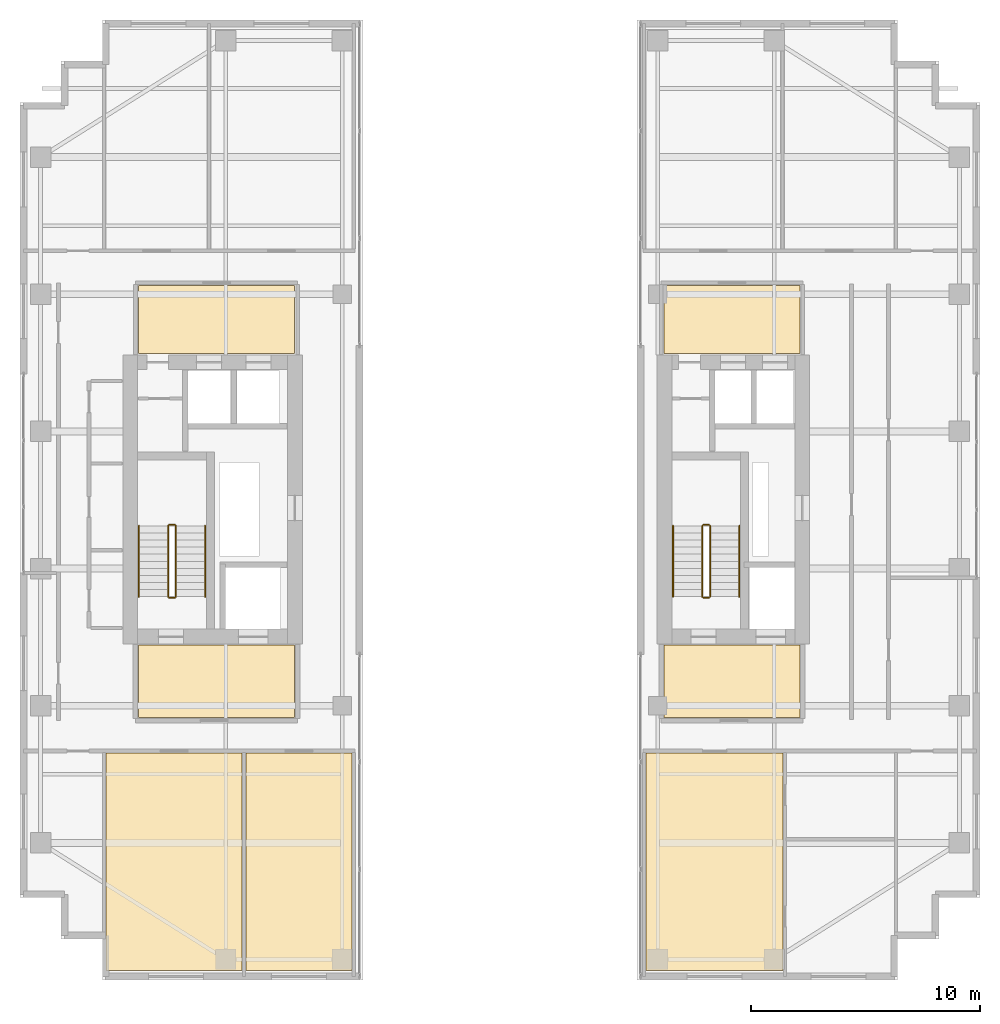
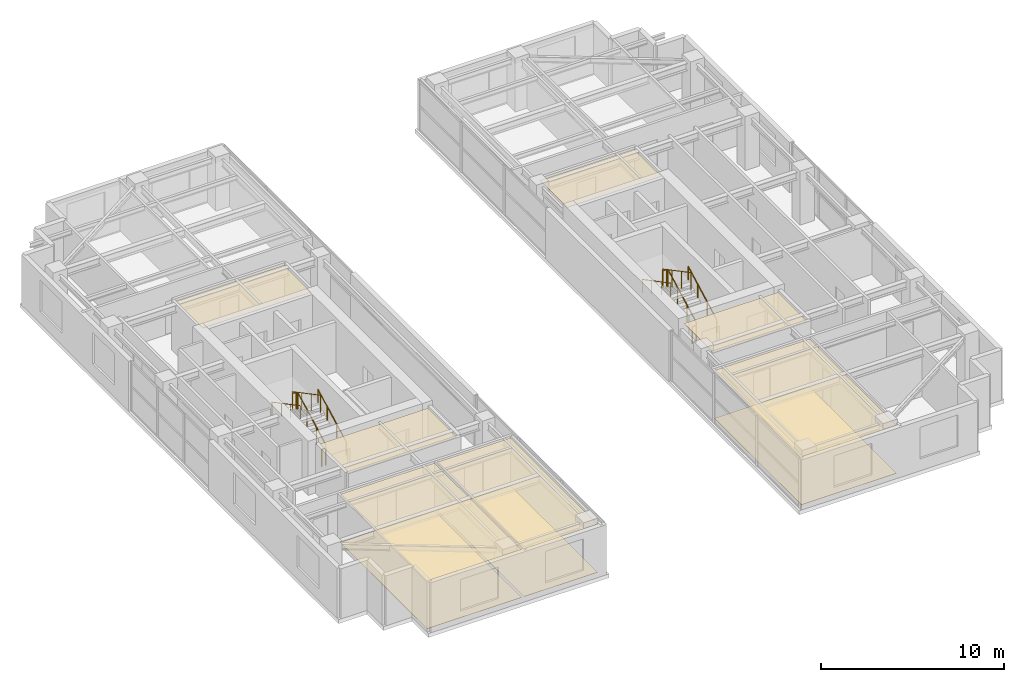
# One storey, part 20 of 21: 12 railings, 10 coverings.
"""IFC4 building model written with IfcOpenShell, lengths in metres."""

from ifc_helpers import new_model, si_unit, direction, frame, origin, origin_2d, place, context, subcontext, project, spatial, polyline, circle, outline, extrude, material, layer, layer_set, type_object, element, save


model = new_model("IFC4")

# Units and contexts
model_context = context("Model", 3, precision=1e-05, world=origin(), true_north=direction((0.0, 1.0)))
body_context = subcontext(model_context, "Body", "Model", "MODEL_VIEW")
ifc_project = project(units=[si_unit("LENGTHUNIT", "METRE"), si_unit("AREAUNIT", "SQUARE_METRE"), si_unit("VOLUMEUNIT", "CUBIC_METRE"), si_unit("PLANEANGLEUNIT", "RADIAN"), si_unit("MASSUNIT", "GRAM", prefix="KILO")], contexts=[model_context])

# Site, building, storey
site_placement = place(None, origin())
site = spatial("IfcSite", under=ifc_project, at=site_placement, CompositionType="ELEMENT")
building_placement = place(site_placement, origin())
building = spatial("IfcBuilding", under=site, at=building_placement, Name="Khoralis Quay Care Tower", CompositionType="ELEMENT")
storey_placement = place(building_placement, frame((0.0, 0.0, 206.10009765625)))
storey = spatial("IfcBuildingStorey", under=building, at=storey_placement, Name="L54", CompositionType="ELEMENT", Elevation=206.10009765625)

# Coverings
ifc_material_1 = material(Name="Mineral-fibre acoustic ceiling tile")
ifc_layer_1 = layer(ifc_material_1, 0.01806640625)
ifc_layer_set_1 = layer_set([ifc_layer_1], Name="Mineral-fibre acoustic ceiling tile")
covering_type_1 = type_object("IfcCoveringType", Name="COV-CEIL-AC18", PredefinedType="CEILING", material=ifc_layer_set_1)
covering_1_placement = place(storey_placement, frame((0.0, 0.0, 3.19189453125)))
element("IfcCovering", 1, at=covering_1_placement, inside=storey, type_object=covering_type_1, Name="Suspended Acoustic Ceiling SP-L54-FFLOB-W", PredefinedType="CEILING", context=body_context, shape_type="SweptSolid", body=[
    extrude(outline(polyline([(8.179931640625, 11.47998046875), (15.02001953125, 11.47998046875), (15.02001953125, 14.64990234375), (8.179931640625, 14.64990234375), (8.179931640625, 11.47998046875)])), origin(), (0.0, 0.0, 1.0), 0.01806640625),
])
covering_2_placement = place(storey_placement, frame((0.0, 0.0, 3.19189453125)))
element("IfcCovering", 2, at=covering_2_placement, inside=storey, type_object=covering_type_1, Name="Suspended Acoustic Ceiling SP-L54-FFLOB-E", PredefinedType="CEILING", context=body_context, shape_type="SweptSolid", body=[
    extrude(outline(polyline([(31.179931640625, 11.47998046875), (37.1201171875, 11.47998046875), (37.1201171875, 14.64990234375), (31.179931640625, 14.64990234375), (31.179931640625, 11.47998046875)])), origin(), (0.0, 0.0, 1.0), 0.01806640625),
])
covering_3_placement = place(storey_placement, frame((0.0, 0.0, 3.19189453125)))
element("IfcCovering", 3, at=covering_3_placement, inside=storey, type_object=covering_type_1, Name="Suspended Acoustic Ceiling SP-L54-LLOB-W", PredefinedType="CEILING", context=body_context, shape_type="SweptSolid", body=[
    extrude(outline(polyline([(8.179931640625, 27.39990234375), (15.02001953125, 27.39990234375), (15.02001953125, 30.389892578125), (8.179931640625, 30.389892578125), (8.179931640625, 27.39990234375)])), origin(), (0.0, 0.0, 1.0), 0.01806640625),
])
covering_4_placement = place(storey_placement, frame((0.0, 0.0, 3.19189453125)))
element("IfcCovering", 4, at=covering_4_placement, inside=storey, type_object=covering_type_1, Name="Suspended Acoustic Ceiling SP-L54-LLOB-E", PredefinedType="CEILING", context=body_context, shape_type="SweptSolid", body=[
    extrude(outline(polyline([(31.179931640625, 27.39990234375), (37.1201171875, 27.39990234375), (37.1201171875, 30.389892578125), (31.179931640625, 30.389892578125), (31.179931640625, 27.39990234375)])), origin(), (0.0, 0.0, 1.0), 0.01806640625),
])
covering_5_placement = place(storey_placement, frame((0.0, 0.0, 3.19189453125)))
element("IfcCovering", 5, at=covering_5_placement, inside=storey, type_object=covering_type_1, Name="Suspended Acoustic Ceiling SP-L54-WS-COM0", PredefinedType="CEILING", context=body_context, shape_type="SweptSolid", body=[
    extrude(outline(polyline([(6.760009765625, 0.419921875), (12.719970703125, 0.419921875), (12.719970703125, 9.93994140625), (6.760009765625, 9.93994140625), (6.760009765625, 0.419921875)])), origin(), (0.0, 0.0, 1.0), 0.01806640625),
])
covering_6_placement = place(storey_placement, frame((0.0, 0.0, 3.19189453125)))
element("IfcCovering", 6, at=covering_6_placement, inside=storey, type_object=covering_type_1, Name="Suspended Acoustic Ceiling SP-L54-WS-COM1", PredefinedType="CEILING", context=body_context, shape_type="SweptSolid", body=[
    extrude(outline(polyline([(12.8798828125, 0.419921875), (17.52001953125, 0.419921875), (17.52001953125, 9.93994140625), (12.8798828125, 9.93994140625), (12.8798828125, 0.419921875)])), origin(), (0.0, 0.0, 1.0), 0.01806640625),
])
covering_7_placement = place(storey_placement, frame((0.0, 0.0, 3.19189453125)))
element("IfcCovering", 7, at=covering_7_placement, inside=storey, type_object=covering_type_1, Name="Suspended Acoustic Ceiling SP-L54-ES-STU0", PredefinedType="CEILING", context=body_context, shape_type="SweptSolid", body=[
    extrude(outline(polyline([(30.3798828125, 0.419921875), (36.39111328125, 0.419921875), (36.39111328125, 9.93994140625), (30.3798828125, 9.93994140625), (30.3798828125, 0.419921875)])), origin(), (0.0, 0.0, 1.0), 0.01806640625),
])
ifc_material_2 = material(Name="Porcelain and non-slip vinyl flooring")
ifc_layer_2 = layer(ifc_material_2, 0.02001953125)
ifc_layer_set_2 = layer_set([ifc_layer_2], Name="Porcelain and non-slip vinyl flooring")
covering_type_2 = type_object("IfcCoveringType", Name="COV-FLOOR-20", PredefinedType="FLOORING", material=ifc_layer_set_2)
covering_8_placement = place(storey_placement, origin())
element("IfcCovering", 8, at=covering_8_placement, inside=storey, type_object=covering_type_2, Name="Resilient Healthcare Flooring SP-L54-WS-COM0", PredefinedType="FLOORING", context=body_context, shape_type="SweptSolid", body=[
    extrude(outline(polyline([(6.760009765625, 0.419921875), (12.719970703125, 0.419921875), (12.719970703125, 9.93994140625), (6.760009765625, 9.93994140625), (6.760009765625, 0.419921875)])), origin(), (0.0, 0.0, 1.0), 0.02001953125),
])
covering_9_placement = place(storey_placement, origin())
element("IfcCovering", 9, at=covering_9_placement, inside=storey, type_object=covering_type_2, Name="Resilient Healthcare Flooring SP-L54-WS-COM1", PredefinedType="FLOORING", context=body_context, shape_type="SweptSolid", body=[
    extrude(outline(polyline([(12.8798828125, 0.419921875), (17.52001953125, 0.419921875), (17.52001953125, 9.93994140625), (12.8798828125, 9.93994140625), (12.8798828125, 0.419921875)])), origin(), (0.0, 0.0, 1.0), 0.02001953125),
])
covering_10_placement = place(storey_placement, origin())
element("IfcCovering", 10, at=covering_10_placement, inside=storey, type_object=covering_type_2, Name="Resilient Healthcare Flooring SP-L54-ES-STU0", PredefinedType="FLOORING", context=body_context, shape_type="SweptSolid", body=[
    extrude(outline(polyline([(30.3798828125, 0.419921875), (36.39111328125, 0.419921875), (36.39111328125, 9.93994140625), (30.3798828125, 9.93994140625), (30.3798828125, 0.419921875)])), origin(), (0.0, 0.0, 1.0), 0.02001953125),
])

# Railings
ifc_material_3 = material(Name="Brushed stainless steel", Category="steel")
railing_type_1 = type_object("IfcRailingType", Name="RL-GUARD-1150", PredefinedType="GUARDRAIL", material=ifc_material_3)
railing_1_placement = place(storey_placement, frame((9.820068359375, 16.77001953125, 0.16357421875)))
element("IfcRailing", 11, at=railing_1_placement, inside=storey, type_object=railing_type_1, Name="L54 ST-T1 stair guard 1", PredefinedType="GUARDRAIL", context=body_context, shape_type="SweptSolid", body=[
    extrude(circle(Radius=0.02392578125, at=origin_2d()), frame((0.0, 0.0, 1.1259765625), z_axis=(0.0, 0.884376766648, 0.46677375099), x_axis=(-1.0, 0.0, 0.0)), (0.0, 0.0, 1.0), 3.50537109375),
    extrude(circle(Radius=0.02099609375, at=origin_2d()), origin(), (0.0, 0.0, 1.0), 1.101806640625),
    extrude(circle(Radius=0.02099609375, at=origin_2d()), frame((0.0, 1.033447265625, 0.54541015625)), (0.0, 0.0, 1.0), 1.101806640625),
    extrude(circle(Radius=0.02099609375, at=origin_2d()), frame((0.0, 2.066650390625, 1.0908203125)), (0.0, 0.0, 1.0), 1.101806640625),
    extrude(circle(Radius=0.02099609375, at=origin_2d()), frame((0.0, 3.10009765625, 1.63623046875)), (0.0, 0.0, 1.0), 1.101806640625),
])
railing_2_placement = place(storey_placement, frame((9.77001953125, 19.919921875, 1.7998046875)))
element("IfcRailing", 12, at=railing_2_placement, inside=storey, type_object=railing_type_1, Name="L54 ST-T1 stair guard 2", PredefinedType="GUARDRAIL", context=body_context, shape_type="SweptSolid", body=[
    extrude(circle(Radius=0.02392578125, at=origin_2d()), frame((0.0, 0.0, 1.1259765625), z_axis=(-1.0, 0.0, 0.0), x_axis=(0.0, -1.0, 0.0)), (0.0, 0.0, 1.0), 0.239990234375),
    extrude(circle(Radius=0.02099609375, at=origin_2d()), origin(), (0.0, 0.0, 1.0), 1.101806640625),
    extrude(circle(Radius=0.02099609375, at=origin_2d()), frame((-0.239990234375, 0.0, 0.0)), (0.0, 0.0, 1.0), 1.101806640625),
])
railing_3_placement = place(storey_placement, frame((9.47998046875, 19.8701171875, 1.963623046875)))
element("IfcRailing", 13, at=railing_3_placement, inside=storey, type_object=railing_type_1, Name="L54 ST-T1 stair guard 3", PredefinedType="GUARDRAIL", context=body_context, shape_type="SweptSolid", body=[
    extrude(circle(Radius=0.02392578125, at=origin_2d()), frame((0.0, 0.0, 1.1259765625), z_axis=(0.0, -0.884376766648, 0.46677375099), x_axis=(1.0, 0.0, 0.0)), (0.0, 0.0, 1.0), 3.50537109375),
    extrude(circle(Radius=0.02099609375, at=origin_2d()), origin(), (0.0, 0.0, 1.0), 1.101806640625),
    extrude(circle(Radius=0.02099609375, at=origin_2d()), frame((0.0, -1.033447265625, 0.54541015625)), (0.0, 0.0, 1.0), 1.101806640625),
    extrude(circle(Radius=0.02099609375, at=origin_2d()), frame((0.0, -2.066650390625, 1.0908203125)), (0.0, 0.0, 1.0), 1.101806640625),
    extrude(circle(Radius=0.02099609375, at=origin_2d()), frame((0.0, -3.10009765625, 1.63623046875)), (0.0, 0.0, 1.0), 1.101806640625),
])
railing_4_placement = place(storey_placement, frame((9.77001953125, 16.719970703125, 0.0)))
element("IfcRailing", 14, at=railing_4_placement, inside=storey, type_object=railing_type_1, Name="L54 ST-T1 stair guard 4", PredefinedType="GUARDRAIL", context=body_context, shape_type="SweptSolid", body=[
    extrude(circle(Radius=0.02392578125, at=origin_2d()), frame((0.0, 0.0, 1.1259765625), z_axis=(-1.0, 0.0, 0.0), x_axis=(0.0, -1.0, 0.0)), (0.0, 0.0, 1.0), 0.239990234375),
    extrude(circle(Radius=0.02099609375, at=origin_2d()), origin(), (0.0, 0.0, 1.0), 1.101806640625),
    extrude(circle(Radius=0.02099609375, at=origin_2d()), frame((-0.239990234375, 0.0, 0.0)), (0.0, 0.0, 1.0), 1.101806640625),
])
railing_5_placement = place(storey_placement, frame((33.18994140625, 16.77001953125, 0.16357421875)))
element("IfcRailing", 15, at=railing_5_placement, inside=storey, type_object=railing_type_1, Name="L54 ST-T2 stair guard 1", PredefinedType="GUARDRAIL", context=body_context, shape_type="SweptSolid", body=[
    extrude(circle(Radius=0.02392578125, at=origin_2d()), frame((0.0, 0.0, 1.1259765625), z_axis=(0.0, 0.884376766648, 0.46677375099), x_axis=(-1.0, 0.0, 0.0)), (0.0, 0.0, 1.0), 3.50537109375),
    extrude(circle(Radius=0.02099609375, at=origin_2d()), origin(), (0.0, 0.0, 1.0), 1.101806640625),
    extrude(circle(Radius=0.02099609375, at=origin_2d()), frame((0.0, 1.033447265625, 0.54541015625)), (0.0, 0.0, 1.0), 1.101806640625),
    extrude(circle(Radius=0.02099609375, at=origin_2d()), frame((0.0, 2.066650390625, 1.0908203125)), (0.0, 0.0, 1.0), 1.101806640625),
    extrude(circle(Radius=0.02099609375, at=origin_2d()), frame((0.0, 3.10009765625, 1.63623046875)), (0.0, 0.0, 1.0), 1.101806640625),
])
railing_6_placement = place(storey_placement, frame((33.139892578125, 19.919921875, 1.7998046875)))
element("IfcRailing", 16, at=railing_6_placement, inside=storey, type_object=railing_type_1, Name="L54 ST-T2 stair guard 2", PredefinedType="GUARDRAIL", context=body_context, shape_type="SweptSolid", body=[
    extrude(circle(Radius=0.02392578125, at=origin_2d()), frame((0.0, 0.0, 1.1259765625), z_axis=(-1.0, 0.0, 0.0), x_axis=(0.0, -1.0, 0.0)), (0.0, 0.0, 1.0), 0.239990234375),
    extrude(circle(Radius=0.02099609375, at=origin_2d()), origin(), (0.0, 0.0, 1.0), 1.101806640625),
    extrude(circle(Radius=0.02099609375, at=origin_2d()), frame((-0.239990234375, 0.0, 0.0)), (0.0, 0.0, 1.0), 1.101806640625),
])
railing_7_placement = place(storey_placement, frame((32.85009765625, 19.8701171875, 1.963623046875)))
element("IfcRailing", 17, at=railing_7_placement, inside=storey, type_object=railing_type_1, Name="L54 ST-T2 stair guard 3", PredefinedType="GUARDRAIL", context=body_context, shape_type="SweptSolid", body=[
    extrude(circle(Radius=0.02392578125, at=origin_2d()), frame((0.0, 0.0, 1.1259765625), z_axis=(0.0, -0.884376766648, 0.46677375099), x_axis=(1.0, 0.0, 0.0)), (0.0, 0.0, 1.0), 3.50537109375),
    extrude(circle(Radius=0.02099609375, at=origin_2d()), origin(), (0.0, 0.0, 1.0), 1.101806640625),
    extrude(circle(Radius=0.02099609375, at=origin_2d()), frame((0.0, -1.033447265625, 0.54541015625)), (0.0, 0.0, 1.0), 1.101806640625),
    extrude(circle(Radius=0.02099609375, at=origin_2d()), frame((0.0, -2.066650390625, 1.0908203125)), (0.0, 0.0, 1.0), 1.101806640625),
    extrude(circle(Radius=0.02099609375, at=origin_2d()), frame((0.0, -3.10009765625, 1.63623046875)), (0.0, 0.0, 1.0), 1.101806640625),
])
railing_8_placement = place(storey_placement, frame((33.139892578125, 16.719970703125, 0.0)))
element("IfcRailing", 18, at=railing_8_placement, inside=storey, type_object=railing_type_1, Name="L54 ST-T2 stair guard 4", PredefinedType="GUARDRAIL", context=body_context, shape_type="SweptSolid", body=[
    extrude(circle(Radius=0.02392578125, at=origin_2d()), frame((0.0, 0.0, 1.1259765625), z_axis=(-1.0, 0.0, 0.0), x_axis=(0.0, -1.0, 0.0)), (0.0, 0.0, 1.0), 0.239990234375),
    extrude(circle(Radius=0.02099609375, at=origin_2d()), origin(), (0.0, 0.0, 1.0), 1.101806640625),
    extrude(circle(Radius=0.02099609375, at=origin_2d()), frame((-0.239990234375, 0.0, 0.0)), (0.0, 0.0, 1.0), 1.101806640625),
])
railing_type_2 = type_object("IfcRailingType", Name="RL-HAND-900", PredefinedType="HANDRAIL", material=ifc_material_3)
railing_9_placement = place(storey_placement, frame((11.10009765625, 16.77001953125, 0.16357421875)))
element("IfcRailing", 19, at=railing_9_placement, inside=storey, type_object=railing_type_2, Name="L54 ST-T1 stair handrail 1", PredefinedType="HANDRAIL", context=body_context, shape_type="SweptSolid", body=[
    extrude(circle(Radius=0.02392578125, at=origin_2d()), frame((0.0, 0.0, 0.8759765625), z_axis=(0.0, 0.884376766648, 0.46677375099), x_axis=(-1.0, 0.0, 0.0)), (0.0, 0.0, 1.0), 3.50537109375),
    extrude(circle(Radius=0.02099609375, at=origin_2d()), origin(), (0.0, 0.0, 1.0), 0.851806640625),
    extrude(circle(Radius=0.02099609375, at=origin_2d()), frame((0.0, 1.033447265625, 0.54541015625)), (0.0, 0.0, 1.0), 0.851806640625),
    extrude(circle(Radius=0.02099609375, at=origin_2d()), frame((0.0, 2.066650390625, 1.0908203125)), (0.0, 0.0, 1.0), 0.851806640625),
    extrude(circle(Radius=0.02099609375, at=origin_2d()), frame((0.0, 3.10009765625, 1.63623046875)), (0.0, 0.0, 1.0), 0.851806640625),
])
railing_10_placement = place(storey_placement, frame((8.199951171875, 19.8701171875, 1.963623046875)))
element("IfcRailing", 20, at=railing_10_placement, inside=storey, type_object=railing_type_2, Name="L54 ST-T1 stair handrail 2", PredefinedType="HANDRAIL", context=body_context, shape_type="SweptSolid", body=[
    extrude(circle(Radius=0.02392578125, at=origin_2d()), frame((0.0, 0.0, 0.8759765625), z_axis=(0.0, -0.884376766648, 0.46677375099), x_axis=(1.0, 0.0, 0.0)), (0.0, 0.0, 1.0), 3.50537109375),
    extrude(circle(Radius=0.02099609375, at=origin_2d()), origin(), (0.0, 0.0, 1.0), 0.851806640625),
    extrude(circle(Radius=0.02099609375, at=origin_2d()), frame((0.0, -1.033447265625, 0.54541015625)), (0.0, 0.0, 1.0), 0.851806640625),
    extrude(circle(Radius=0.02099609375, at=origin_2d()), frame((0.0, -2.066650390625, 1.0908203125)), (0.0, 0.0, 1.0), 0.851806640625),
    extrude(circle(Radius=0.02099609375, at=origin_2d()), frame((0.0, -3.10009765625, 1.63623046875)), (0.0, 0.0, 1.0), 0.851806640625),
])
railing_11_placement = place(storey_placement, frame((34.469970703125, 16.77001953125, 0.16357421875)))
element("IfcRailing", 21, at=railing_11_placement, inside=storey, type_object=railing_type_2, Name="L54 ST-T2 stair handrail 1", PredefinedType="HANDRAIL", context=body_context, shape_type="SweptSolid", body=[
    extrude(circle(Radius=0.02392578125, at=origin_2d()), frame((0.0, 0.0, 0.8759765625), z_axis=(0.0, 0.884376766648, 0.46677375099), x_axis=(-1.0, 0.0, 0.0)), (0.0, 0.0, 1.0), 3.50537109375),
    extrude(circle(Radius=0.02099609375, at=origin_2d()), origin(), (0.0, 0.0, 1.0), 0.851806640625),
    extrude(circle(Radius=0.02099609375, at=origin_2d()), frame((0.0, 1.033447265625, 0.54541015625)), (0.0, 0.0, 1.0), 0.851806640625),
    extrude(circle(Radius=0.02099609375, at=origin_2d()), frame((0.0, 2.066650390625, 1.0908203125)), (0.0, 0.0, 1.0), 0.851806640625),
    extrude(circle(Radius=0.02099609375, at=origin_2d()), frame((0.0, 3.10009765625, 1.63623046875)), (0.0, 0.0, 1.0), 0.851806640625),
])
railing_12_placement = place(storey_placement, frame((31.570068359375, 19.8701171875, 1.963623046875)))
element("IfcRailing", 22, at=railing_12_placement, inside=storey, type_object=railing_type_2, Name="L54 ST-T2 stair handrail 2", PredefinedType="HANDRAIL", context=body_context, shape_type="SweptSolid", body=[
    extrude(circle(Radius=0.02392578125, at=origin_2d()), frame((0.0, 0.0, 0.8759765625), z_axis=(0.0, -0.884376766648, 0.46677375099), x_axis=(1.0, 0.0, 0.0)), (0.0, 0.0, 1.0), 3.50537109375),
    extrude(circle(Radius=0.02099609375, at=origin_2d()), origin(), (0.0, 0.0, 1.0), 0.851806640625),
    extrude(circle(Radius=0.02099609375, at=origin_2d()), frame((0.0, -1.033447265625, 0.54541015625)), (0.0, 0.0, 1.0), 0.851806640625),
    extrude(circle(Radius=0.02099609375, at=origin_2d()), frame((0.0, -2.066650390625, 1.0908203125)), (0.0, 0.0, 1.0), 0.851806640625),
    extrude(circle(Radius=0.02099609375, at=origin_2d()), frame((0.0, -3.10009765625, 1.63623046875)), (0.0, 0.0, 1.0), 0.851806640625),
])

save(model, "model.ifc")
